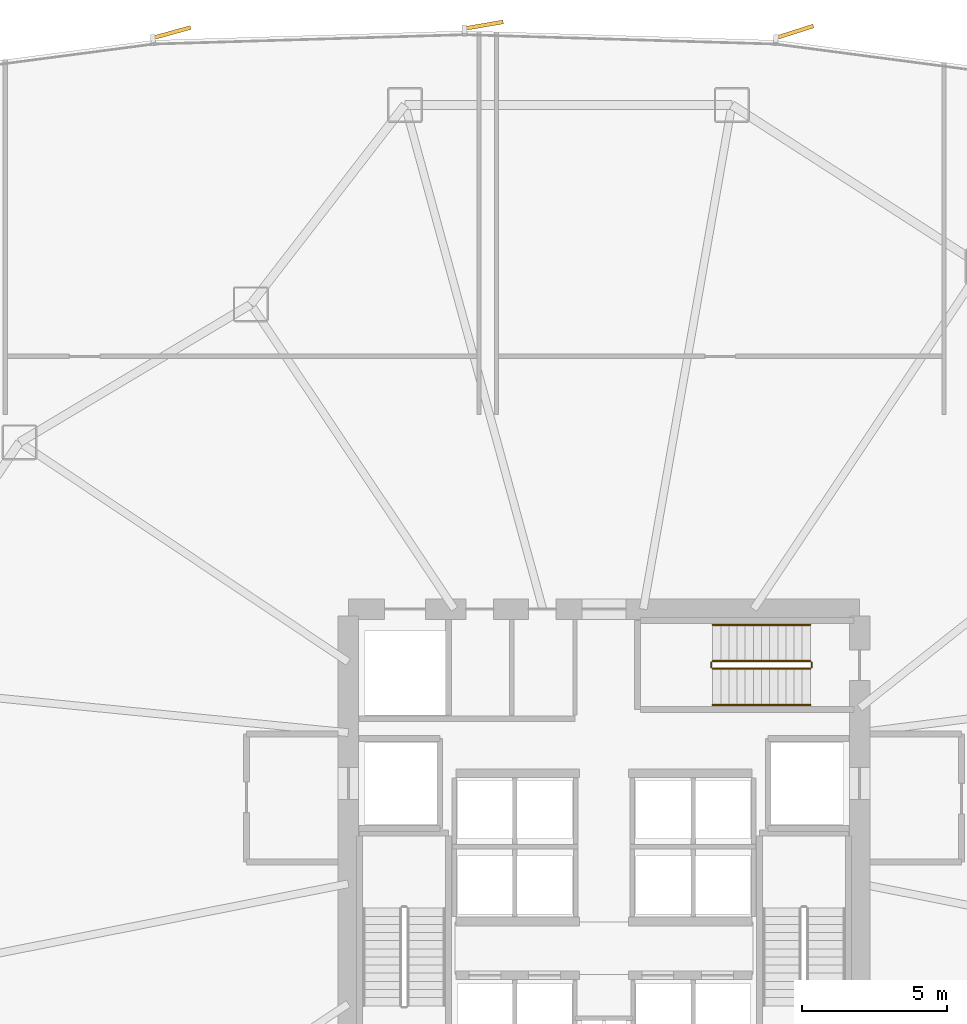
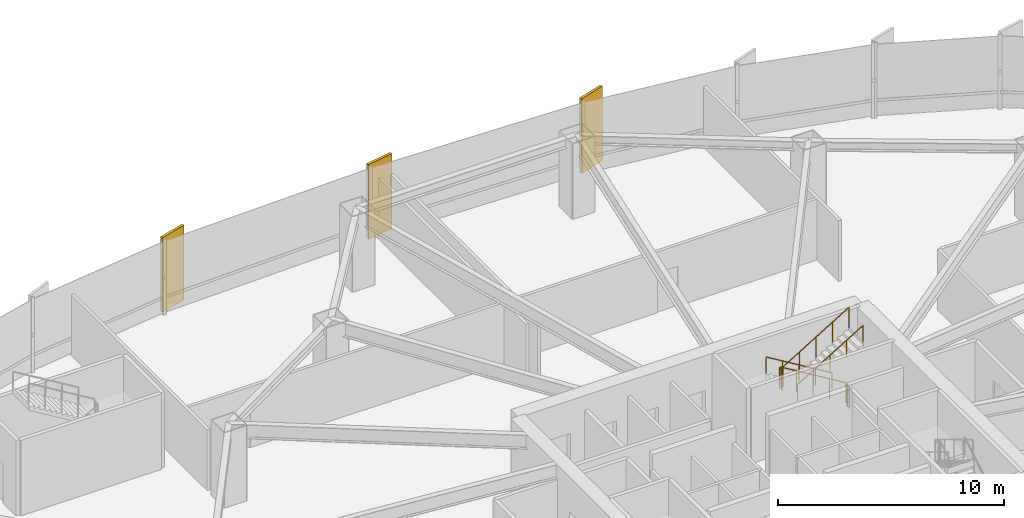
# One storey, part 33 of 34: 6 railings, 3 coverings.
"""IFC4 building model written with IfcOpenShell, lengths in metres."""

from ifc_helpers import new_model, si_unit, direction, frame, origin, origin_2d, place, context, subcontext, project, spatial, rectangle, circle, extrude, source, transform, mapped, material, layer, layer_set, type_object, element, save


model = new_model("IFC4")

# Units and contexts
model_context = context("Model", 3, precision=1e-05, world=origin(), true_north=direction((0.0, 1.0)))
body_context = subcontext(model_context, "Body", "Model", "MODEL_VIEW")
ifc_project = project(units=[si_unit("LENGTHUNIT", "METRE"), si_unit("AREAUNIT", "SQUARE_METRE"), si_unit("VOLUMEUNIT", "CUBIC_METRE"), si_unit("PLANEANGLEUNIT", "RADIAN"), si_unit("MASSUNIT", "GRAM", prefix="KILO"), si_unit("THERMODYNAMICTEMPERATUREUNIT", "KELVIN")], contexts=[model_context])

# Site, building, storey
site_placement = place(None, origin())
site = spatial("IfcSite", under=ifc_project, at=site_placement, CompositionType="ELEMENT")
building_placement = place(site_placement, origin())
building = spatial("IfcBuilding", under=site, at=building_placement, Name="Kethvar Cultural Tower", CompositionType="ELEMENT")
storey_placement = place(building_placement, frame((0.0, 0.0, 19.60009765625)))
storey = spatial("IfcBuildingStorey", under=building, at=storey_placement, Name="L04", CompositionType="ELEMENT", Elevation=19.60009765625)

# Railings
ifc_material_1 = material(Name="Steel S355J2", Category="steel")
railing_type_1 = type_object("IfcRailingType", Name="RL-STAIR-GUARD", PredefinedType="BALUSTRADE", material=ifc_material_1)
railing_1_placement = place(storey_placement, frame((53.89990234375, 33.7099609375, 0.169189453125)))
element("IfcRailing", 1, at=railing_1_placement, inside=storey, type_object=railing_type_1, Name="L04 ST-03 stair guard 1", PredefinedType="BALUSTRADE", context=body_context, shape_type="SweptSolid", body=[
    extrude(circle(Radius=0.02392578125, at=origin_2d()), frame((0.0, 0.0, 1.09619140625), z_axis=(-0.855820338506, 0.0, 0.51727318527), x_axis=(0.0, -1.0, 0.0)), (0.0, 0.0, 1.0), 3.92578125),
    extrude(circle(Radius=0.02099609375, at=origin_2d()), origin(), (0.0, 0.0, 1.0), 1.072021484375),
    extrude(circle(Radius=0.02099609375, at=origin_2d()), frame((-0.83984375, 0.0, 0.5078125)), (0.0, 0.0, 1.0), 1.072021484375),
    extrude(circle(Radius=0.02099609375, at=origin_2d()), frame((-1.679931640625, 0.0, 1.015380859375)), (0.0, 0.0, 1.0), 1.072021484375),
    extrude(circle(Radius=0.02099609375, at=origin_2d()), frame((-2.52001953125, 0.0, 1.52294921875)), (0.0, 0.0, 1.0), 1.072021484375),
    extrude(circle(Radius=0.02099609375, at=origin_2d()), frame((-3.35986328125, 0.0, 2.03076171875)), (0.0, 0.0, 1.0), 1.072021484375),
])
railing_2_placement = place(storey_placement, frame((50.489990234375, 33.659912109375, 2.199951171875)))
element("IfcRailing", 2, at=railing_2_placement, inside=storey, type_object=railing_type_1, Name="L04 ST-03 stair guard 2", PredefinedType="BALUSTRADE", context=body_context, shape_type="SweptSolid", body=[
    extrude(circle(Radius=0.02392578125, at=origin_2d()), frame((0.0, 0.0, 1.09619140625), z_axis=(0.0, -1.0, 0.0), x_axis=(1.0, 0.0, 0.0)), (0.0, 0.0, 1.0), 0.159912109375),
    extrude(circle(Radius=0.02099609375, at=origin_2d()), origin(), (0.0, 0.0, 1.0), 1.072021484375),
    extrude(circle(Radius=0.02099609375, at=origin_2d()), frame((0.0, -0.159912109375, 0.0)), (0.0, 0.0, 1.0), 1.072021484375),
])
railing_3_placement = place(storey_placement, frame((50.5400390625, 33.449951171875, 2.369140625)))
element("IfcRailing", 3, at=railing_3_placement, inside=storey, type_object=railing_type_1, Name="L04 ST-03 stair guard 3", PredefinedType="BALUSTRADE", context=body_context, shape_type="SweptSolid", body=[
    extrude(circle(Radius=0.02392578125, at=origin_2d()), frame((0.0, 0.0, 1.09619140625), z_axis=(0.855820338506, 0.0, 0.51727318527), x_axis=(0.0, 1.0, 0.0)), (0.0, 0.0, 1.0), 3.92578125),
    extrude(circle(Radius=0.02099609375, at=origin_2d()), origin(), (0.0, 0.0, 1.0), 1.072021484375),
    extrude(circle(Radius=0.02099609375, at=origin_2d()), frame((0.83984375, 0.0, 0.5078125)), (0.0, 0.0, 1.0), 1.072021484375),
    extrude(circle(Radius=0.02099609375, at=origin_2d()), frame((1.679931640625, 0.0, 1.015380859375)), (0.0, 0.0, 1.0), 1.072021484375),
    extrude(circle(Radius=0.02099609375, at=origin_2d()), frame((2.52001953125, 0.0, 1.52294921875)), (0.0, 0.0, 1.0), 1.072021484375),
    extrude(circle(Radius=0.02099609375, at=origin_2d()), frame((3.35986328125, 0.0, 2.03076171875)), (0.0, 0.0, 1.0), 1.072021484375),
])
railing_4_placement = place(storey_placement, frame((53.949951171875, 33.659912109375, 0.0)))
element("IfcRailing", 4, at=railing_4_placement, inside=storey, type_object=railing_type_1, Name="L04 ST-03 stair guard 4", PredefinedType="BALUSTRADE", context=body_context, shape_type="SweptSolid", body=[
    extrude(circle(Radius=0.02392578125, at=origin_2d()), frame((0.0, 0.0, 1.09619140625), z_axis=(0.0, -1.0, 0.0), x_axis=(1.0, 0.0, 0.0)), (0.0, 0.0, 1.0), 0.159912109375),
    extrude(circle(Radius=0.02099609375, at=origin_2d()), origin(), (0.0, 0.0, 1.0), 1.072021484375),
    extrude(circle(Radius=0.02099609375, at=origin_2d()), frame((0.0, -0.159912109375, 0.0)), (0.0, 0.0, 1.0), 1.072021484375),
])
railing_type_2 = type_object("IfcRailingType", Name="RL-STAIR-HANDRAIL", PredefinedType="HANDRAIL", material=ifc_material_1)
railing_5_placement = place(storey_placement, frame((53.89990234375, 34.9599609375, 0.169189453125)))
element("IfcRailing", 5, at=railing_5_placement, inside=storey, type_object=railing_type_2, Name="L04 ST-03 stair handrail 1", PredefinedType="HANDRAIL", context=body_context, shape_type="SweptSolid", body=[
    extrude(circle(Radius=0.02392578125, at=origin_2d()), frame((0.0, 0.0, 0.8759765625), z_axis=(-0.855820338506, 0.0, 0.51727318527), x_axis=(0.0, -1.0, 0.0)), (0.0, 0.0, 1.0), 3.92578125),
    extrude(circle(Radius=0.02099609375, at=origin_2d()), origin(), (0.0, 0.0, 1.0), 0.851806640625),
    extrude(circle(Radius=0.02099609375, at=origin_2d()), frame((-0.83984375, 0.0, 0.5078125)), (0.0, 0.0, 1.0), 0.851806640625),
    extrude(circle(Radius=0.02099609375, at=origin_2d()), frame((-1.679931640625, 0.0, 1.015380859375)), (0.0, 0.0, 1.0), 0.851806640625),
    extrude(circle(Radius=0.02099609375, at=origin_2d()), frame((-2.52001953125, 0.0, 1.52294921875)), (0.0, 0.0, 1.0), 0.851806640625),
    extrude(circle(Radius=0.02099609375, at=origin_2d()), frame((-3.35986328125, 0.0, 2.03076171875)), (0.0, 0.0, 1.0), 0.851806640625),
])
railing_6_placement = place(storey_placement, frame((50.5400390625, 32.199951171875, 2.369140625)))
element("IfcRailing", 6, at=railing_6_placement, inside=storey, type_object=railing_type_2, Name="L04 ST-03 stair handrail 2", PredefinedType="HANDRAIL", context=body_context, shape_type="SweptSolid", body=[
    extrude(circle(Radius=0.02392578125, at=origin_2d()), frame((0.0, 0.0, 0.8759765625), z_axis=(0.855820338506, 0.0, 0.51727318527), x_axis=(0.0, 1.0, 0.0)), (0.0, 0.0, 1.0), 3.92578125),
    extrude(circle(Radius=0.02099609375, at=origin_2d()), origin(), (0.0, 0.0, 1.0), 0.851806640625),
    extrude(circle(Radius=0.02099609375, at=origin_2d()), frame((0.83984375, 0.0, 0.5078125)), (0.0, 0.0, 1.0), 0.851806640625),
    extrude(circle(Radius=0.02099609375, at=origin_2d()), frame((1.679931640625, 0.0, 1.015380859375)), (0.0, 0.0, 1.0), 0.851806640625),
    extrude(circle(Radius=0.02099609375, at=origin_2d()), frame((2.52001953125, 0.0, 1.52294921875)), (0.0, 0.0, 1.0), 0.851806640625),
    extrude(circle(Radius=0.02099609375, at=origin_2d()), frame((3.35986328125, 0.0, 2.03076171875)), (0.0, 0.0, 1.0), 0.851806640625),
])

# Coverings
ifc_material_2 = material(Name="Extruded Architectural Terracotta", Category="masonry")
ifc_layer = layer(ifc_material_2, 0.135009765625, Name="Extruded Architectural Terracotta", Category="masonry")
ifc_layer_set = layer_set([ifc_layer], Name="Extruded Architectural Terracotta (135 mm)")
covering_type = type_object("IfcCoveringType", Name="Terracotta Facade Fin FIN-04", PredefinedType="CLADDING", material=ifc_layer_set)
shared_shape = source(origin(), body_context, "Body", "SweptSolid", [
    extrude(rectangle(XDim=1.35009765625, YDim=0.135009765625, at=origin_2d()), origin(), (0.0, 0.0, 1.0), 4.0400390625),
])
for number, where, z_axis, x_axis, name in (
    (7, (53.361328125, 55.3623046875, 0.019775390625), (0.0, 0.0, 1.0), (0.952555295657, 0.304365583986, 0.0), "L04 Vertical Terracotta Fin 2.3"),
    (8, (42.662841796875, 55.593994140625, 0.019775390625), (0.0, 0.0, 1.0), (0.985615113142, 0.169005469575, 0.0), "L04 Vertical Terracotta Fin 2.4"),
    (9, (31.924072265625, 55.336669921875, 0.019775390625), (0.0, 0.0, 1.0), (0.963583796636, 0.267406557249, 0.0), "L04 Vertical Terracotta Fin 2.5"),
):
    element("IfcCovering", number, at=place(storey_placement, frame(where, z_axis=z_axis, x_axis=x_axis)), inside=storey, type_object=covering_type, Name=name, PredefinedType="CLADDING", context=body_context, shape_type="MappedRepresentation", body=[
        mapped(shared_shape, transform((0.0, 0.0, 0.0), scale=1.0)),
    ])

save(model, "model.ifc")
